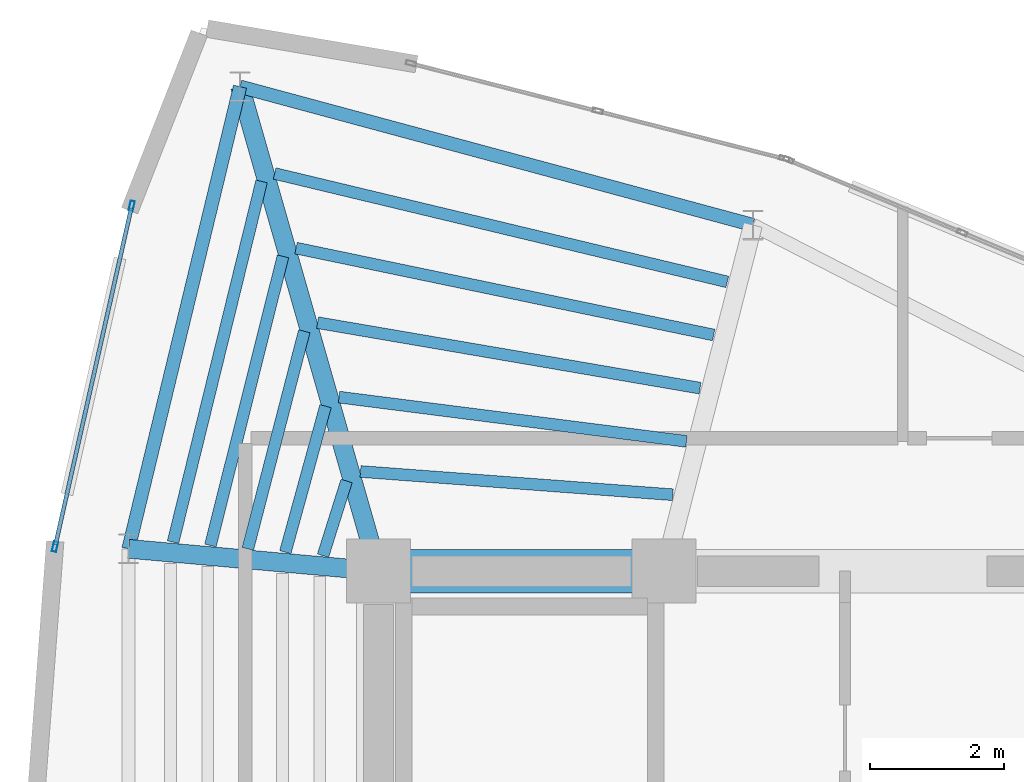
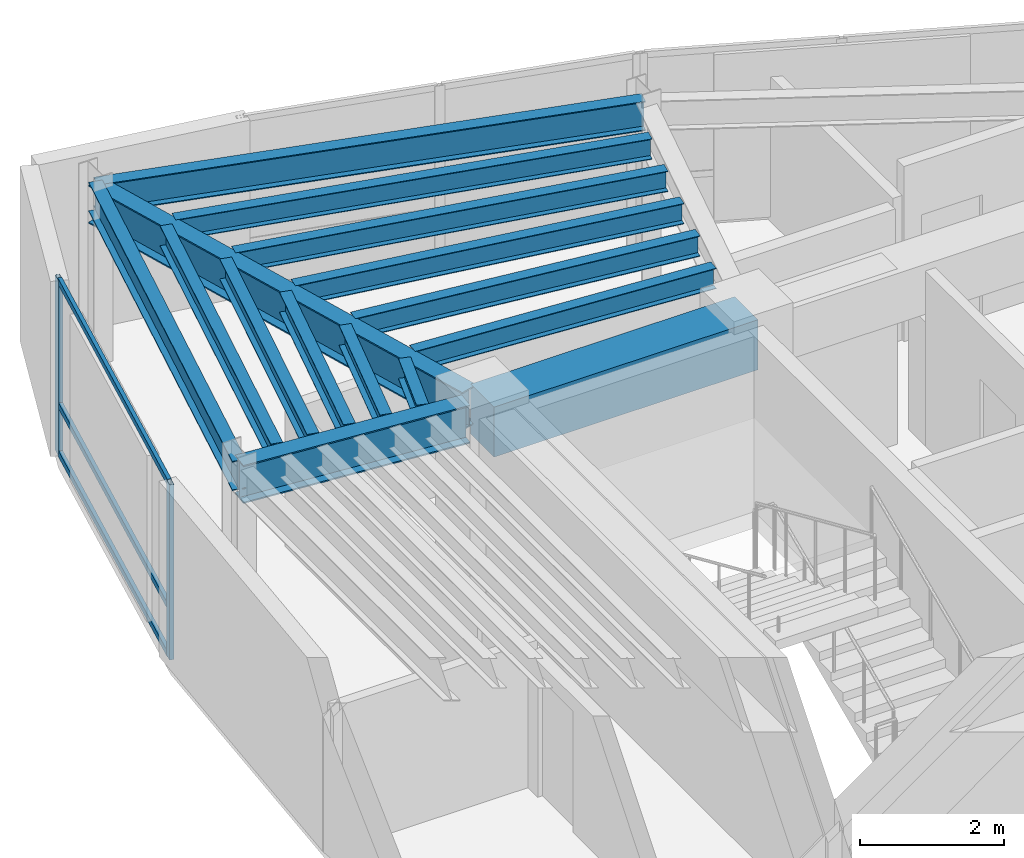
# One storey, part 7 of 14: 15 beams, 5 members, 1 element without a shape of its own.
"""IFC4 building model written with IfcOpenShell, lengths in metres."""

import ifcopenshell
import ifcopenshell.guid

model = None  # the IFC model being written
_history = None  # IfcOwnerHistory: only IFC2X3 demands one
_inside = {}  # id of a spatial element -> (the spatial element, [elements in it])
_under = {}  # id of a project, library or spatial element -> (it, [spatial elements below it])
_declared = {}  # id of a project -> (the project, [libraries it declares])
_typed = {}  # id of a type object -> (the type object, [elements of that type])
_made_of = {}  # id of a material, layer set ... -> (it, [elements and type objects made of it])


def new_model(schema):
    """Start an empty IFC model of exactly this schema.

    Asked for "IFC4X3", IfcOpenShell would pick the latest addendum, in which some entities
    have other attributes; the version numbers below select the first issue.
    IFC2X3 requires an IfcOwnerHistory on every rooted entity: one is made here for all.
    """
    global model, _history
    if schema == "IFC4X3":
        model = ifcopenshell.file(schema_version=(4, 3, 0, 0))
    else:
        model = ifcopenshell.file(schema=schema)
    _inside.clear()
    _under.clear()
    _declared.clear()
    _typed.clear()
    _made_of.clear()
    _history = None
    if model.schema == "IFC2X3":
        org = make("IfcOrganization", Name="unknown")
        user = make(
            "IfcPersonAndOrganization",
            ThePerson=make("IfcPerson", FamilyName="unknown"),
            TheOrganization=org,
        )
        app = make(
            "IfcApplication",
            ApplicationDeveloper=org,
            Version="unknown",
            ApplicationFullName="unknown",
            ApplicationIdentifier="unknown",
        )
        _history = make(
            "IfcOwnerHistory",
            OwningUser=user,
            OwningApplication=app,
            ChangeAction="ADDED",
            CreationDate=0,
        )
    return model


def make(cls, **values):
    """One entity of the class cls with the attributes given. An attribute that is None is left unset."""
    return model.create_entity(
        cls, **{name: value for name, value in values.items() if value is not None}
    )


def rooted(cls, **values):
    """An entity with a GlobalId (a new one), such as an element, a storey or a relation."""
    return make(cls, GlobalId=ifcopenshell.guid.new(), OwnerHistory=_history, **values)


def si_unit(unit_type, name, prefix=None):
    """IfcSIUnit, for example si_unit("LENGTHUNIT", "METRE", prefix="MILLI")."""
    return make("IfcSIUnit", UnitType=unit_type, Prefix=prefix, Name=name)


def assignment(units):
    """IfcUnitAssignment: the units of a project."""
    return None if units is None else make("IfcUnitAssignment", Units=units)


def point(xyz):
    """IfcCartesianPoint."""
    return None if xyz is None else make("IfcCartesianPoint", Coordinates=xyz)


def direction(xyz):
    """IfcDirection."""
    return None if xyz is None else make("IfcDirection", DirectionRatios=xyz)


def frame(location, z_axis=None, x_axis=None):
    """IfcAxis2Placement3D, a coordinate frame: its origin and axes. An axis left out is left unset."""
    return make(
        "IfcAxis2Placement3D",
        Location=point(location),
        Axis=direction(z_axis),
        RefDirection=direction(x_axis),
    )


def frame_2d(location, x_axis=None):
    """IfcAxis2Placement2D, a coordinate frame in the plane: its origin and x axis."""
    return make(
        "IfcAxis2Placement2D", Location=point(location), RefDirection=direction(x_axis)
    )


def origin():
    """The frame at (0, 0, 0) with its axes left unset."""
    return frame((0.0, 0.0, 0.0))


def origin_2d():
    """The frame at (0, 0) in the plane with its x axis left unset."""
    return frame_2d((0.0, 0.0))


def place(relative_to, where):
    """IfcLocalPlacement: puts the frame where relative to a parent placement (None: the world)."""
    return make(
        "IfcLocalPlacement", PlacementRelTo=relative_to, RelativePlacement=where
    )


def context(
    kind, dimensions, precision=None, world=None, true_north=None, identifier=None
):
    """IfcGeometricRepresentationContext, for example the 3D "Model" context."""
    return make(
        "IfcGeometricRepresentationContext",
        ContextIdentifier=identifier,
        ContextType=kind,
        CoordinateSpaceDimension=dimensions,
        Precision=precision,
        WorldCoordinateSystem=world,
        TrueNorth=true_north,
    )


def subcontext(parent, identifier, kind, view, scale=None):
    """IfcGeometricRepresentationSubContext, for example "Body" below "Model"."""
    return make(
        "IfcGeometricRepresentationSubContext",
        ContextIdentifier=identifier,
        ContextType=kind,
        ParentContext=parent,
        TargetScale=scale,
        TargetView=view,
    )


def project(units=None, contexts=None):
    """IfcProject with its units and contexts."""
    return rooted(
        "IfcProject",
        Name="project",
        RepresentationContexts=contexts,
        UnitsInContext=assignment(units),
    )


def spatial(cls, under=None, at=None, **own):
    """A site, building, storey or space (cls), placed at a placement, below another one or the project."""
    s = rooted(cls, ObjectPlacement=at, **own)
    if under is not None:
        _under.setdefault(under.id(), (under, []))[1].append(s)
    return s


def profile(cls, at=None, kind="AREA", **sizes):
    """A parametric profile (cls). Its sizes go by their IFC names, for example OverallWidth=200.0."""
    return make(cls, ProfileType=kind, Position=at, **sizes)


def rectangle(**sizes):
    """IfcRectangleProfileDef."""
    return profile("IfcRectangleProfileDef", **sizes)


def hollow_rectangle(**sizes):
    """IfcRectangleHollowProfileDef."""
    return profile("IfcRectangleHollowProfileDef", **sizes)


def i_section(**sizes):
    """IfcIShapeProfileDef."""
    return profile("IfcIShapeProfileDef", **sizes)


def extrude(swept, where, along, depth):
    """IfcExtrudedAreaSolid: the profile swept, set in the frame where, extruded along a direction by depth."""
    return make(
        "IfcExtrudedAreaSolid",
        SweptArea=swept,
        Position=where,
        ExtrudedDirection=direction(along),
        Depth=depth,
    )


def shape(context_of_items, identifier, shape_type, items):
    """IfcShapeRepresentation: the items that make up one representation, for example the "Body"."""
    return make(
        "IfcShapeRepresentation",
        ContextOfItems=context_of_items,
        RepresentationIdentifier=identifier,
        RepresentationType=shape_type,
        Items=items,
    )


def material(Name=None, Category=None):
    """IfcMaterial."""
    return make("IfcMaterial", Name=Name, Category=Category)


def layer(
    of_material, thickness, ventilated=None, Name=None, Category=None, Priority=None
):
    """IfcMaterialLayer: one layer of a wall or slab, of a material (None: an air gap)."""
    return make(
        "IfcMaterialLayer",
        Material=of_material,
        LayerThickness=thickness,
        IsVentilated=ventilated,
        Name=Name,
        Category=Category,
        Priority=Priority,
    )


def layer_set(layers, Name=None):
    """IfcMaterialLayerSet."""
    return make("IfcMaterialLayerSet", MaterialLayers=layers, LayerSetName=Name)


def material_profile(
    of_material, cross_section, Name=None, Category=None, Priority=None
):
    """IfcMaterialProfile: a cross section and its material."""
    return make(
        "IfcMaterialProfile",
        Name=Name,
        Material=of_material,
        Profile=cross_section,
        Priority=Priority,
        Category=Category,
    )


def profile_set(profiles, Name=None, composite=None):
    """IfcMaterialProfileSet."""
    return make(
        "IfcMaterialProfileSet",
        Name=Name,
        MaterialProfiles=profiles,
        CompositeProfile=composite,
    )


def made_of(thing, what):
    """Note that an element or type object is made of a material, layer set ...; save() writes the relation."""
    if what is not None:
        _made_of.setdefault(what.id(), (what, []))[1].append(thing)
    return thing


def type_object(cls, material=None, **own):
    """A type object (cls), such as IfcWallType, which elements share."""
    return made_of(rooted(cls, **own), material)


def element(
    cls,
    number,
    at=None,
    inside=None,
    cuts=None,
    type_object=None,
    material=None,
    context=None,
    identifier="Body",
    shape_type=None,
    held_by="IfcProductDefinitionShape",
    body=None,
    shapes=None,
    **own,
):
    """One element of the class cls, such as IfcWall. Its Tag is "e" and its number.

    at: its placement. inside: the storey or other place that contains it. cuts: it is an
    opening in that element (IfcRelVoidsElement). A single representation is given by context,
    identifier, shape_type and body (its items); several are given by shapes. held_by: the class
    of the entity that holds the representations. save() writes the other relations.
    """
    e = rooted(cls, Tag="e%d" % number, ObjectPlacement=at, **own)
    if body is not None:
        shapes = [shape(context, identifier, shape_type, body)]
    if shapes is not None:
        e.Representation = make(held_by, Representations=shapes)
    if inside is not None:
        _inside.setdefault(inside.id(), (inside, []))[1].append(e)
    if cuts is not None:
        rooted(
            "IfcRelVoidsElement", RelatingBuildingElement=cuts, RelatedOpeningElement=e
        )
    if type_object is not None:
        _typed.setdefault(type_object.id(), (type_object, []))[1].append(e)
    return made_of(e, material)


def aggregate(whole, parts):
    """IfcRelAggregates: a whole, such as a stair, and the parts it consists of."""
    return rooted("IfcRelAggregates", RelatingObject=whole, RelatedObjects=parts)


def save(model, path):
    """Write the relations noted so far, then the file.

    IfcRelAggregates (storeys below a building ...), IfcRelContainedInSpatialStructure (elements
    in a storey), IfcRelDefinesByType, IfcRelAssociatesMaterial and IfcRelDeclares: one each for
    every whole, place, type object, material and project.
    """
    for whole, parts in _under.values():
        aggregate(whole, parts)
    for where, things in _inside.values():
        rooted(
            "IfcRelContainedInSpatialStructure",
            RelatedElements=things,
            RelatingStructure=where,
        )
    for kind, things in _typed.values():
        rooted("IfcRelDefinesByType", RelatedObjects=things, RelatingType=kind)
    for what, things in _made_of.values():
        rooted("IfcRelAssociatesMaterial", RelatedObjects=things, RelatingMaterial=what)
    for by, libraries in _declared.values():
        rooted("IfcRelDeclares", RelatingContext=by, RelatedDefinitions=libraries)
    model.write(path)


model = new_model("IFC4")

# Units and contexts
model_context = context("Model", 3, precision=1e-05, world=origin(), true_north=direction((0.0, 1.0)))
body_context = subcontext(model_context, "Body", "Model", "MODEL_VIEW")
ifc_project = project(units=[si_unit("LENGTHUNIT", "METRE"), si_unit("AREAUNIT", "SQUARE_METRE"), si_unit("VOLUMEUNIT", "CUBIC_METRE"), si_unit("PLANEANGLEUNIT", "RADIAN"), si_unit("MASSUNIT", "GRAM", prefix="KILO")], contexts=[model_context])

# Site, building, storey
site_placement = place(None, origin())
site = spatial("IfcSite", under=ifc_project, at=site_placement, CompositionType="ELEMENT")
building_placement = place(site_placement, origin())
building = spatial("IfcBuilding", under=site, at=building_placement, Name="Menara Vayukalpa", CompositionType="ELEMENT")
storey_placement = place(building_placement, frame((0.0, 0.0, 299.219970703125)))
storey = spatial("IfcBuildingStorey", under=building, at=storey_placement, Name="L76", CompositionType="ELEMENT", Elevation=299.219970703125)

# Beams
ifc_material_1 = material(Name="Concrete C60/75", Category="concrete")
ifc_material_profile_1 = material_profile(ifc_material_1, rectangle(XDim=0.64990234375, YDim=0.85009765625, at=origin_2d()), Name="RC 650x850")
ifc_profile_set_1 = profile_set([ifc_material_profile_1], Name="Concrete C60/75")
beam_type_1 = type_object("IfcBeamType", Name="BM-CB1", PredefinedType="BEAM", material=ifc_profile_set_1)
beam_1_placement = place(storey_placement, frame((17.800048828125, 26.800048828125, 2.554931640625), z_axis=(1.0, 0.0, 0.0), x_axis=(0.0, 1.0, 0.0)))
element("IfcBeam", 1, at=beam_1_placement, inside=storey, type_object=beam_type_1, Name="L76 Core Tie Beam CBR4", PredefinedType="BEAM", context=body_context, shape_type="SweptSolid", body=[
    extrude(rectangle(XDim=0.64990234375, YDim=0.85009765625, at=origin_2d()), origin(), (0.0, 0.0, 1.0), 4.25),
])
ifc_material_2 = material(Name="Steel S355", Category="steel")
ifc_material_profile_2 = material_profile(ifc_material_2, i_section(OverallWidth=0.280029296875, OverallDepth=0.64990234375, WebThickness=0.012939453125, FlangeThickness=0.02197265625, at=origin_2d()), Name="WF 650x280x13x22")
ifc_profile_set_2 = profile_set([ifc_material_profile_2], Name="Steel S355")
beam_type_2 = type_object("IfcBeamType", Name="BM-PG6", PredefinedType="BEAM", material=ifc_profile_set_2)
beam_2_placement = place(storey_placement, frame((17.731201171875, 27.040283203125, 2.655029296875), z_axis=(-0.274721127897, 0.961523947641, 0.0), x_axis=(-0.961523947641, -0.274721127897, 0.0)))
element("IfcBeam", 2, at=beam_2_placement, inside=storey, type_object=beam_type_2, Name="L76 Primary Radial Girder RG04", PredefinedType="BEAM", context=body_context, shape_type="SweptSolid", body=[
    extrude(i_section(OverallWidth=0.280029296875, OverallDepth=0.64990234375, WebThickness=0.012939453125, FlangeThickness=0.02197265625, at=origin_2d()), origin(), (0.0, 0.0, 1.0), 7.246337890625),
])
beam_3_placement = place(storey_placement, frame((17.551025390625, 26.822265625, 2.655029296875), z_axis=(-0.996018615253, 0.089145488221, 0.0), x_axis=(-0.089145488221, -0.996018615253, 0.0)))
element("IfcBeam", 3, at=beam_3_placement, inside=storey, type_object=beam_type_2, Name="L76 Primary Radial Girder RG05", PredefinedType="BEAM", context=body_context, shape_type="SweptSolid", body=[
    extrude(i_section(OverallWidth=0.280029296875, OverallDepth=0.64990234375, WebThickness=0.012939453125, FlangeThickness=0.02197265625, at=origin_2d()), origin(), (0.0, 0.0, 1.0), 3.483642578125),
])
ifc_material_3 = material(Name="Steel S355", Category="steel")
ifc_material_profile_3 = material_profile(ifc_material_3, i_section(OverallWidth=0.175048828125, OverallDepth=0.35009765625, WebThickness=0.007080078125, FlangeThickness=0.010986328125, at=origin_2d()), Name="WF 350x175x7x11")
ifc_profile_set_3 = profile_set([ifc_material_profile_3], Name="Steel S355")
beam_type_3 = type_object("IfcBeamType", Name="BM-SJ3", PredefinedType="JOIST", material=ifc_profile_set_3)
beam_4_placement = place(storey_placement, frame((22.17919921875, 27.9375, 2.804931640625), z_axis=(-0.997251719177, 0.074087843793, 0.0), x_axis=(-0.074087843793, -0.997251719177, 0.0)))
element("IfcBeam", 4, at=beam_4_placement, inside=storey, type_object=beam_type_3, Name="L76 Secondary Floor Joist SJ03-1", PredefinedType="JOIST", context=body_context, shape_type="SweptSolid", body=[
    extrude(i_section(OverallWidth=0.175048828125, OverallDepth=0.35009765625, WebThickness=0.007080078125, FlangeThickness=0.010986328125, at=origin_2d()), origin(), (0.0, 0.0, 1.0), 4.659423828125),
])
beam_5_placement = place(storey_placement, frame((22.38134765625, 28.73095703125, 2.804931640625), z_axis=(-0.99198755764, 0.126335606566, 0.0), x_axis=(-0.126335606566, -0.99198755764, 0.0)))
element("IfcBeam", 5, at=beam_5_placement, inside=storey, type_object=beam_type_3, Name="L76 Secondary Floor Joist SJ03-2", PredefinedType="JOIST", context=body_context, shape_type="SweptSolid", body=[
    extrude(i_section(OverallWidth=0.175048828125, OverallDepth=0.35009765625, WebThickness=0.007080078125, FlangeThickness=0.010986328125, at=origin_2d()), origin(), (0.0, 0.0, 1.0), 5.2099609375),
])
beam_6_placement = place(storey_placement, frame((22.583740234375, 29.522705078125, 2.804931640625), z_axis=(-0.985653829347, 0.168779526877, 0.0), x_axis=(-0.168779526877, -0.985653829347, 0.0)))
element("IfcBeam", 6, at=beam_6_placement, inside=storey, type_object=beam_type_3, Name="L76 Secondary Floor Joist SJ03-3", PredefinedType="JOIST", context=body_context, shape_type="SweptSolid", body=[
    extrude(i_section(OverallWidth=0.175048828125, OverallDepth=0.35009765625, WebThickness=0.007080078125, FlangeThickness=0.010986328125, at=origin_2d()), origin(), (0.0, 0.0, 1.0), 5.77294921875),
])
beam_7_placement = place(storey_placement, frame((22.7861328125, 30.3134765625, 2.804931640625), z_axis=(-0.979026809099, 0.203731458211, 0.0), x_axis=(-0.203731458211, -0.979026809099, 0.0)))
element("IfcBeam", 7, at=beam_7_placement, inside=storey, type_object=beam_type_3, Name="L76 Secondary Floor Joist SJ03-4", PredefinedType="JOIST", context=body_context, shape_type="SweptSolid", body=[
    extrude(i_section(OverallWidth=0.175048828125, OverallDepth=0.35009765625, WebThickness=0.007080078125, FlangeThickness=0.010986328125, at=origin_2d()), origin(), (0.0, 0.0, 1.0), 6.34521484375),
])
beam_8_placement = place(storey_placement, frame((22.988525390625, 31.103515625, 2.804931640625), z_axis=(-0.972498563376, 0.232908875382, 0.0), x_axis=(-0.232908875382, -0.972498563376, 0.0)))
element("IfcBeam", 8, at=beam_8_placement, inside=storey, type_object=beam_type_3, Name="L76 Secondary Floor Joist SJ03-5", PredefinedType="JOIST", context=body_context, shape_type="SweptSolid", body=[
    extrude(i_section(OverallWidth=0.175048828125, OverallDepth=0.35009765625, WebThickness=0.007080078125, FlangeThickness=0.010986328125, at=origin_2d()), origin(), (0.0, 0.0, 1.0), 6.924560546875),
])
beam_9_placement = place(storey_placement, frame((17.324951171875, 28.141845703125, 2.804931640625), z_axis=(-0.300720135723, -0.953712430437, 0.0), x_axis=(0.953712430437, -0.300720135723, 0.0)))
element("IfcBeam", 9, at=beam_9_placement, inside=storey, type_object=beam_type_3, Name="L76 Secondary Floor Joist SJ04-1", PredefinedType="JOIST", context=body_context, shape_type="SweptSolid", body=[
    extrude(i_section(OverallWidth=0.175048828125, OverallDepth=0.35009765625, WebThickness=0.007080078125, FlangeThickness=0.010986328125, at=origin_2d()), origin(), (0.0, 0.0, 1.0), 1.1650390625),
])
beam_10_placement = place(storey_placement, frame((17.011962890625, 29.2548828125, 2.804931640625), z_axis=(-0.265408257597, -0.964136119435, 0.0), x_axis=(0.964136119435, -0.265408257597, 0.0)))
element("IfcBeam", 10, at=beam_10_placement, inside=storey, type_object=beam_type_3, Name="L76 Secondary Floor Joist SJ04-2", PredefinedType="JOIST", context=body_context, shape_type="SweptSolid", body=[
    extrude(i_section(OverallWidth=0.175048828125, OverallDepth=0.35009765625, WebThickness=0.007080078125, FlangeThickness=0.010986328125, at=origin_2d()), origin(), (0.0, 0.0, 1.0), 2.253662109375),
])
beam_11_placement = place(storey_placement, frame((16.69580078125, 30.369140625, 2.804931640625), z_axis=(-0.25101283466, -0.96798375856, 0.0), x_axis=(0.96798375856, -0.25101283466, 0.0)))
element("IfcBeam", 11, at=beam_11_placement, inside=storey, type_object=beam_type_3, Name="L76 Secondary Floor Joist SJ04-3", PredefinedType="JOIST", context=body_context, shape_type="SweptSolid", body=[
    extrude(i_section(OverallWidth=0.175048828125, OverallDepth=0.35009765625, WebThickness=0.007080078125, FlangeThickness=0.010986328125, at=origin_2d()), origin(), (0.0, 0.0, 1.0), 3.343994140625),
])
beam_12_placement = place(storey_placement, frame((16.37841796875, 31.483642578125, 2.804931640625), z_axis=(-0.243183291128, -0.969980353882, 0.0), x_axis=(0.969980353882, -0.243183291128, 0.0)))
element("IfcBeam", 12, at=beam_12_placement, inside=storey, type_object=beam_type_3, Name="L76 Secondary Floor Joist SJ04-4", PredefinedType="JOIST", context=body_context, shape_type="SweptSolid", body=[
    extrude(i_section(OverallWidth=0.175048828125, OverallDepth=0.35009765625, WebThickness=0.007080078125, FlangeThickness=0.010986328125, at=origin_2d()), origin(), (0.0, 0.0, 1.0), 4.434326171875),
])
beam_13_placement = place(storey_placement, frame((16.060791015625, 32.59814453125, 2.804931640625), z_axis=(-0.238311967576, -0.971188656292, 0.0), x_axis=(0.971188656292, -0.238311967576, 0.0)))
element("IfcBeam", 13, at=beam_13_placement, inside=storey, type_object=beam_type_3, Name="L76 Secondary Floor Joist SJ04-5", PredefinedType="JOIST", context=body_context, shape_type="SweptSolid", body=[
    extrude(i_section(OverallWidth=0.175048828125, OverallDepth=0.35009765625, WebThickness=0.007080078125, FlangeThickness=0.010986328125, at=origin_2d()), origin(), (0.0, 0.0, 1.0), 5.52490234375),
])
ifc_material_4 = material(Name="Steel S355", Category="steel")
ifc_material_profile_4 = material_profile(ifc_material_4, i_section(OverallWidth=0.199951171875, OverallDepth=0.5, WebThickness=0.010009765625, FlangeThickness=0.01611328125, at=origin_2d()), Name="WF 500x200x10x16")
ifc_profile_set_4 = profile_set([ifc_material_profile_4], Name="Steel S355")
beam_type_4 = type_object("IfcBeamType", Name="BM-SP3", PredefinedType="SPANDREL", material=ifc_profile_set_4)
beam_14_placement = place(storey_placement, frame((23.37060546875, 31.949462890625, 2.72998046875), z_axis=(-0.965485889412, 0.260455365361, 0.0), x_axis=(-0.260455365361, -0.965485889412, 0.0)))
element("IfcBeam", 14, at=beam_14_placement, inside=storey, type_object=beam_type_4, Name="L76 Perimeter Spandrel Beam SP03", PredefinedType="SPANDREL", context=body_context, shape_type="SweptSolid", body=[
    extrude(i_section(OverallWidth=0.199951171875, OverallDepth=0.5, WebThickness=0.010009765625, FlangeThickness=0.01611328125, at=origin_2d()), origin(), (0.0, 0.0, 1.0), 7.90283203125),
])
beam_15_placement = place(storey_placement, frame((15.740478515625, 34.0078125, 2.72998046875), z_axis=(-0.234600039411, -0.97209198202, 0.0), x_axis=(0.97209198202, -0.234600039411, 0.0)))
element("IfcBeam", 15, at=beam_15_placement, inside=storey, type_object=beam_type_4, Name="L76 Perimeter Spandrel Beam SP04", PredefinedType="SPANDREL", context=body_context, shape_type="SweptSolid", body=[
    extrude(i_section(OverallWidth=0.199951171875, OverallDepth=0.5, WebThickness=0.010009765625, FlangeThickness=0.01611328125, at=origin_2d()), origin(), (0.0, 0.0, 1.0), 7.072265625),
])

# Curtain wall, members
ifc_material_5 = material(Name="Anodised Terracotta Aluminium Alloy 6063-T6", Category="masonry")
ifc_layer = layer(ifc_material_5, 0.14990234375)
ifc_layer_set = layer_set([ifc_layer], Name="Anodised Terracotta Aluminium Alloy 6063-T6")
curtain_wall_type = type_object("IfcCurtainWallType", Name="CW-CW7", PredefinedType="USERDEFINED", material=ifc_layer_set)
curtain_wall_placement = place(storey_placement, origin())
curtain_wall = element("IfcCurtainWall", 16, at=curtain_wall_placement, inside=storey, type_object=curtain_wall_type, Name="L76 Crown Drum Screened Curtain Wall CW7 09", ObjectType="UNITISED", PredefinedType="USERDEFINED")
ifc_material_6 = material(Name="Anodised Terracotta Aluminium Alloy 6063-T6", Category="masonry")
ifc_material_profile_5 = material_profile(ifc_material_6, hollow_rectangle(XDim=0.06494140625, YDim=0.14990234375, WallThickness=0.00341796875, at=origin_2d()), Name="ALU 65x150x3.5")
ifc_profile_set_5 = profile_set([ifc_material_profile_5], Name="Anodised Terracotta Aluminium Alloy 6063-T6")
member_type_1 = type_object("IfcMemberType", Name="CWM-CW7", PredefinedType="MULLION", material=ifc_profile_set_5)
member_1_placement = place(storey_placement, frame((14.129150390625, 32.23388671875, 0.0), z_axis=(0.0, 0.0, 1.0), x_axis=(0.975608941973, -0.219515813421, 0.0)))
member_1 = element("IfcMember", 17, at=member_1_placement, type_object=member_type_1, Name="CW7 mullion 1", PredefinedType="MULLION", context=body_context, shape_type="SweptSolid", body=[
    extrude(hollow_rectangle(XDim=0.06494140625, YDim=0.14990234375, WallThickness=0.00341796875, at=origin_2d()), origin(), (0.0, 0.0, 1.0), 2.97998046875),
])
member_2_placement = place(storey_placement, frame((12.988525390625, 27.16455078125, 0.0), z_axis=(0.0, 0.0, 1.0), x_axis=(0.975608941973, -0.219515813421, 0.0)))
member_2 = element("IfcMember", 18, at=member_2_placement, type_object=member_type_1, Name="CW7 mullion 2", PredefinedType="MULLION", context=body_context, shape_type="SweptSolid", body=[
    extrude(hollow_rectangle(XDim=0.06494140625, YDim=0.14990234375, WallThickness=0.00341796875, at=origin_2d()), origin(), (0.0, 0.0, 1.0), 2.97998046875),
])
ifc_material_7 = material(Name="Anodised Terracotta Aluminium Alloy 6063-T6", Category="masonry")
ifc_material_profile_6 = material_profile(ifc_material_7, hollow_rectangle(XDim=0.06005859375, YDim=0.10498046875, WallThickness=0.0029296875, at=origin_2d()), Name="ALU 60x105x3")
ifc_profile_set_6 = profile_set([ifc_material_profile_6], Name="Anodised Terracotta Aluminium Alloy 6063-T6")
member_type_2 = type_object("IfcMemberType", Name="CWT-CW7", PredefinedType="USERDEFINED", material=ifc_profile_set_6)
member_3_placement = place(storey_placement, frame((14.1220703125, 32.2021484375, 0.030029296875), z_axis=(-0.219539368084, -0.975603641784, 0.0), x_axis=(0.975603641784, -0.219539368084, 0.0)))
member_3 = element("IfcMember", 19, at=member_3_placement, type_object=member_type_2, Name="CW7 transom 1.1", ObjectType="TRANSOM", PredefinedType="USERDEFINED", context=body_context, shape_type="SweptSolid", body=[
    extrude(hollow_rectangle(XDim=0.06005859375, YDim=0.10498046875, WallThickness=0.0029296875, at=origin_2d()), origin(), (0.0, 0.0, 1.0), 5.131103515625),
])
member_4_placement = place(storey_placement, frame((14.1220703125, 32.2021484375, 0.85009765625), z_axis=(-0.219539368084, -0.975603641784, 0.0), x_axis=(0.975603641784, -0.219539368084, 0.0)))
member_4 = element("IfcMember", 20, at=member_4_placement, type_object=member_type_2, Name="CW7 transom 1.2", ObjectType="TRANSOM", PredefinedType="USERDEFINED", context=body_context, shape_type="SweptSolid", body=[
    extrude(hollow_rectangle(XDim=0.06005859375, YDim=0.10498046875, WallThickness=0.0029296875, at=origin_2d()), origin(), (0.0, 0.0, 1.0), 5.131103515625),
])
member_5_placement = place(storey_placement, frame((14.1220703125, 32.2021484375, 2.949951171875), z_axis=(-0.219539368084, -0.975603641784, 0.0), x_axis=(0.975603641784, -0.219539368084, 0.0)))
member_5 = element("IfcMember", 21, at=member_5_placement, type_object=member_type_2, Name="CW7 transom 1.3", ObjectType="TRANSOM", PredefinedType="USERDEFINED", context=body_context, shape_type="SweptSolid", body=[
    extrude(hollow_rectangle(XDim=0.06005859375, YDim=0.10498046875, WallThickness=0.0029296875, at=origin_2d()), origin(), (0.0, 0.0, 1.0), 5.131103515625),
])
aggregate(curtain_wall, [member_1, member_2, member_3, member_4, member_5])

save(model, "model.ifc")
